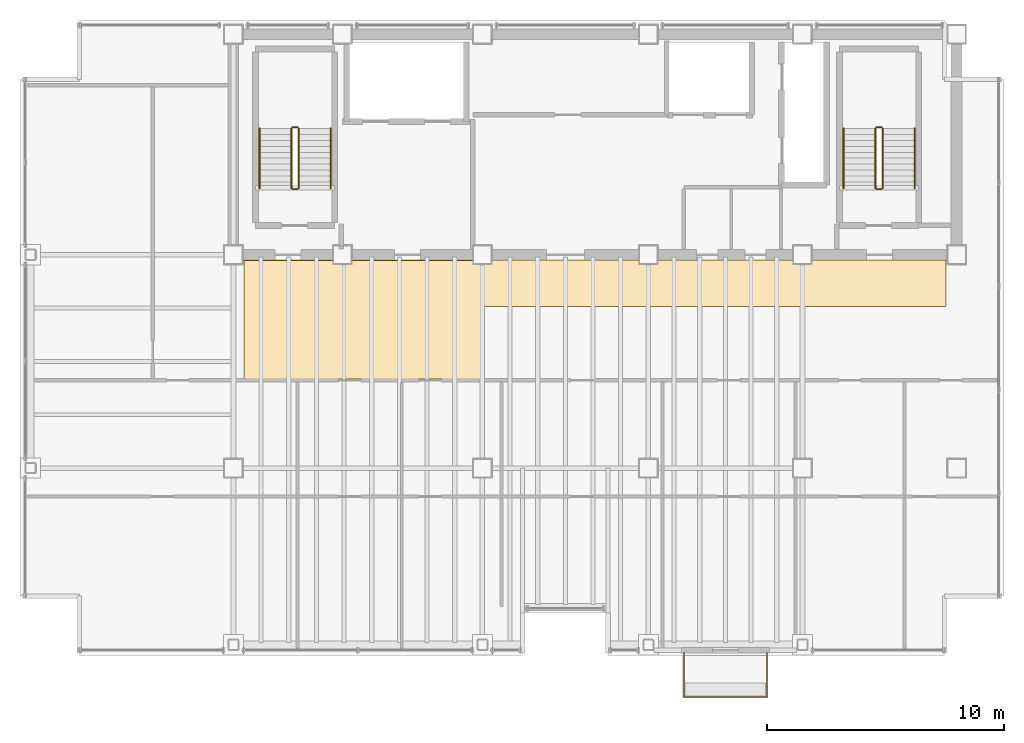
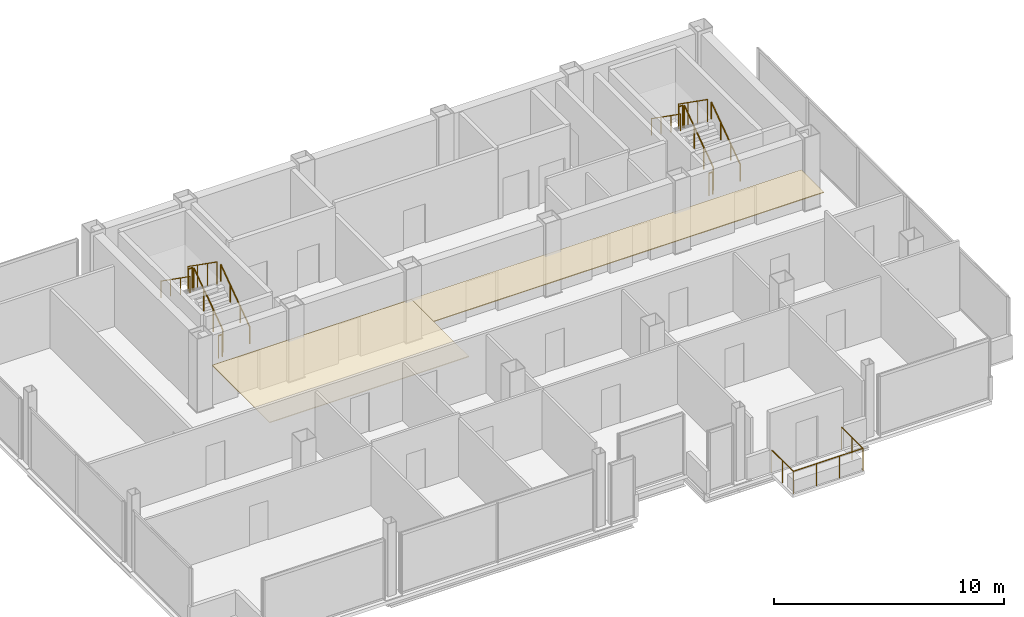
# One storey, part 17 of 17: 13 railings, 2 coverings.
"""IFC4 building model written with IfcOpenShell, lengths in metres."""

from ifc_helpers import new_model, si_unit, direction, frame, origin, origin_2d, place, context, subcontext, project, spatial, polyline, circle, outline, extrude, material, layer, layer_set, type_object, element, save


model = new_model("IFC4")

# Units and contexts
model_context = context("Model", 3, precision=1e-05, world=origin(), true_north=direction((0.0, 1.0)))
body_context = subcontext(model_context, "Body", "Model", "MODEL_VIEW")
ifc_project = project(units=[si_unit("LENGTHUNIT", "METRE"), si_unit("AREAUNIT", "SQUARE_METRE"), si_unit("VOLUMEUNIT", "CUBIC_METRE"), si_unit("PLANEANGLEUNIT", "RADIAN"), si_unit("MASSUNIT", "GRAM", prefix="KILO")], contexts=[model_context])

# Site, building, storey
site_placement = place(None, origin())
site = spatial("IfcSite", under=ifc_project, at=site_placement, CompositionType="ELEMENT")
building_placement = place(site_placement, origin())
building = spatial("IfcBuilding", under=site, at=building_placement, Name="Noeulbin Bourse Tower", CompositionType="ELEMENT")
storey_placement = place(building_placement, frame((0.0, 0.0, 242.300048828125)))
storey = spatial("IfcBuildingStorey", under=building, at=storey_placement, Name="L60", CompositionType="ELEMENT", Elevation=242.300048828125)

# Coverings
ifc_material_1 = material(Name="Perforated Mineral-Fibre Acoustic Tile")
ifc_layer_1 = layer(ifc_material_1, 0.0400390625)
ifc_layer_set_1 = layer_set([ifc_layer_1], Name="Perforated Mineral-Fibre Acoustic Tile")
covering_type_1 = type_object("IfcCoveringType", Name="COV-CEIL-ACT", PredefinedType="CEILING", material=ifc_layer_set_1)
covering_1_placement = place(storey_placement, frame((0.0, 0.0, 2.10986328125)))
element("IfcCovering", 1, at=covering_1_placement, inside=storey, type_object=covering_type_1, Name="Trading Suite Acoustic Ceiling L60", PredefinedType="CEILING", context=body_context, shape_type="SweptSolid", body=[
    extrude(outline(polyline([(13.949951171875, 23.75), (23.949951171875, 23.75), (23.949951171875, 28.75), (13.949951171875, 28.75), (13.949951171875, 23.75)])), origin(), (0.0, 0.0, 1.0), 0.0400390625),
])
ifc_material_2 = material(Name="Linear Anodised Aluminium Baffle Ceiling", Category="aluminium")
ifc_layer_2 = layer(ifc_material_2, 0.050048828125)
ifc_layer_set_2 = layer_set([ifc_layer_2], Name="Linear Anodised Aluminium Baffle Ceiling")
covering_type_2 = type_object("IfcCoveringType", Name="COV-CEIL-MTL", PredefinedType="CEILING", material=ifc_layer_set_2)
covering_2_placement = place(storey_placement, frame((0.0, 0.0, 2.10986328125)))
element("IfcCovering", 2, at=covering_2_placement, inside=storey, type_object=covering_type_2, Name="Corridor Suspended Ceiling L60", PredefinedType="CEILING", context=body_context, shape_type="SweptSolid", body=[
    extrude(outline(polyline([(13.949951171875, 26.820068359375), (43.550048828125, 26.820068359375), (43.550048828125, 28.780029296875), (13.949951171875, 28.780029296875), (13.949951171875, 26.820068359375)])), origin(), (0.0, 0.0, 1.0), 0.0400390625),
])

# Railings
ifc_material_3 = material(Name="Laminated SentryGlas and Stainless Steel 316", Category="steel")
ifc_layer_3 = layer(ifc_material_3, 0.06005859375)
ifc_layer_set_3 = layer_set([ifc_layer_3], Name="Laminated SentryGlas and Stainless Steel 316")
railing_type_1 = type_object("IfcRailingType", Name="RLG-BAL-1200", PredefinedType="BALUSTRADE", material=ifc_layer_set_3)
railing_1_placement = place(storey_placement, frame((32.5, 12.219970703125, 0.0)))
element("IfcRailing", 3, at=railing_1_placement, inside=storey, type_object=railing_type_1, Name="Tree-Balcony Glazed Balustrade L60", PredefinedType="BALUSTRADE", context=body_context, shape_type="SweptSolid", body=[
    extrude(circle(Radius=0.02392578125, at=origin_2d()), frame((0.0, 0.0, 1.17578125), z_axis=(0.0, -1.0, 0.0), x_axis=(1.0, 0.0, 0.0)), (0.0, 0.0, 1.0), 1.869873046875),
    extrude(circle(Radius=0.02392578125, at=origin_2d()), frame((0.0, -1.869873046875, 1.17578125), z_axis=(1.0, 0.0, 0.0), x_axis=(0.0, 1.0, 0.0)), (0.0, 0.0, 1.0), 3.5),
    extrude(circle(Radius=0.02392578125, at=origin_2d()), frame((3.5, -1.869873046875, 1.17578125), z_axis=(0.0, 1.0, 0.0), x_axis=(-1.0, 0.0, 0.0)), (0.0, 0.0, 1.0), 1.869873046875),
    extrude(circle(Radius=0.02099609375, at=origin_2d()), origin(), (0.0, 0.0, 1.0), 1.15185546875),
    extrude(circle(Radius=0.02099609375, at=origin_2d()), frame((0.0, -0.93505859375, 0.0)), (0.0, 0.0, 1.0), 1.15185546875),
    extrude(circle(Radius=0.02099609375, at=origin_2d()), frame((0.0, -1.869873046875, 0.0)), (0.0, 0.0, 1.0), 1.15185546875),
    extrude(circle(Radius=0.02099609375, at=origin_2d()), frame((1.166748046875, -1.869873046875, 0.0)), (0.0, 0.0, 1.0), 1.15185546875),
    extrude(circle(Radius=0.02099609375, at=origin_2d()), frame((2.333251953125, -1.869873046875, 0.0)), (0.0, 0.0, 1.0), 1.15185546875),
    extrude(circle(Radius=0.02099609375, at=origin_2d()), frame((3.5, -1.869873046875, 0.0)), (0.0, 0.0, 1.0), 1.15185546875),
    extrude(circle(Radius=0.02099609375, at=origin_2d()), frame((3.5, -0.93505859375, 0.0)), (0.0, 0.0, 1.0), 1.15185546875),
    extrude(circle(Radius=0.02099609375, at=origin_2d()), frame((3.5, 0.0, 0.0)), (0.0, 0.0, 1.0), 1.15185546875),
])
ifc_material_4 = material(Name="Painted Tubular Steel S355", Category="steel")
ifc_layer_4 = layer(ifc_material_4, 0.048095703125)
ifc_layer_set_4 = layer_set([ifc_layer_4], Name="Painted Tubular Steel S355")
railing_type_2 = type_object("IfcRailingType", Name="RLG-STR-GRD", PredefinedType="GUARDRAIL", material=ifc_layer_set_4)
railing_2_placement = place(storey_placement, frame((16.25, 31.81005859375, 0.17724609375)))
element("IfcRailing", 4, at=railing_2_placement, inside=storey, type_object=railing_type_2, Name="L60 ST-1 stair guard 1", PredefinedType="GUARDRAIL", context=body_context, shape_type="SweptSolid", body=[
    extrude(circle(Radius=0.02392578125, at=origin_2d()), frame((0.0, 0.0, 1.17578125), z_axis=(0.0, 0.817904474719, 0.575354039036), x_axis=(-1.0, 0.0, 0.0)), (0.0, 0.0, 1.0), 3.0810546875),
    extrude(circle(Radius=0.02099609375, at=origin_2d()), origin(), (0.0, 0.0, 1.0), 1.15185546875),
    extrude(circle(Radius=0.02099609375, at=origin_2d()), frame((0.0, 0.840087890625, 0.5908203125)), (0.0, 0.0, 1.0), 1.15185546875),
    extrude(circle(Radius=0.02099609375, at=origin_2d()), frame((0.0, 1.679931640625, 1.181884765625)), (0.0, 0.0, 1.0), 1.15185546875),
    extrude(circle(Radius=0.02099609375, at=origin_2d()), frame((0.0, 2.52001953125, 1.772705078125)), (0.0, 0.0, 1.0), 1.15185546875),
])
railing_3_placement = place(storey_placement, frame((16.199951171875, 34.3798828125, 1.949951171875)))
element("IfcRailing", 5, at=railing_3_placement, inside=storey, type_object=railing_type_2, Name="L60 ST-1 stair guard 2", PredefinedType="GUARDRAIL", context=body_context, shape_type="SweptSolid", body=[
    extrude(circle(Radius=0.02392578125, at=origin_2d()), frame((0.0, 0.0, 1.17578125), z_axis=(-1.0, 0.0, 0.0), x_axis=(0.0, -1.0, 0.0)), (0.0, 0.0, 1.0), 0.199951171875),
    extrude(circle(Radius=0.02099609375, at=origin_2d()), origin(), (0.0, 0.0, 1.0), 1.15185546875),
    extrude(circle(Radius=0.02099609375, at=origin_2d()), frame((-0.199951171875, 0.0, 0.0)), (0.0, 0.0, 1.0), 1.15185546875),
])
railing_4_placement = place(storey_placement, frame((15.949951171875, 34.330078125, 2.127197265625)))
element("IfcRailing", 6, at=railing_4_placement, inside=storey, type_object=railing_type_2, Name="L60 ST-1 stair guard 3", PredefinedType="GUARDRAIL", context=body_context, shape_type="SweptSolid", body=[
    extrude(circle(Radius=0.02392578125, at=origin_2d()), frame((0.0, 0.0, 1.17578125), z_axis=(0.0, -0.817904474719, 0.575354039036), x_axis=(1.0, 0.0, 0.0)), (0.0, 0.0, 1.0), 3.0810546875),
    extrude(circle(Radius=0.02099609375, at=origin_2d()), origin(), (0.0, 0.0, 1.0), 1.15185546875),
    extrude(circle(Radius=0.02099609375, at=origin_2d()), frame((0.0, -0.840087890625, 0.5908203125)), (0.0, 0.0, 1.0), 1.15185546875),
    extrude(circle(Radius=0.02099609375, at=origin_2d()), frame((0.0, -1.679931640625, 1.181884765625)), (0.0, 0.0, 1.0), 1.15185546875),
    extrude(circle(Radius=0.02099609375, at=origin_2d()), frame((0.0, -2.52001953125, 1.772705078125)), (0.0, 0.0, 1.0), 1.15185546875),
])
railing_5_placement = place(storey_placement, frame((16.199951171875, 31.760009765625, 0.0)))
element("IfcRailing", 7, at=railing_5_placement, inside=storey, type_object=railing_type_2, Name="L60 ST-1 stair guard 4", PredefinedType="GUARDRAIL", context=body_context, shape_type="SweptSolid", body=[
    extrude(circle(Radius=0.02392578125, at=origin_2d()), frame((0.0, 0.0, 1.17578125), z_axis=(-1.0, 0.0, 0.0), x_axis=(0.0, -1.0, 0.0)), (0.0, 0.0, 1.0), 0.199951171875),
    extrude(circle(Radius=0.02099609375, at=origin_2d()), origin(), (0.0, 0.0, 1.0), 1.15185546875),
    extrude(circle(Radius=0.02099609375, at=origin_2d()), frame((-0.199951171875, 0.0, 0.0)), (0.0, 0.0, 1.0), 1.15185546875),
])
railing_6_placement = place(storey_placement, frame((40.8798828125, 31.81005859375, 0.17724609375)))
element("IfcRailing", 8, at=railing_6_placement, inside=storey, type_object=railing_type_2, Name="L60 ST-2 stair guard 1", PredefinedType="GUARDRAIL", context=body_context, shape_type="SweptSolid", body=[
    extrude(circle(Radius=0.02392578125, at=origin_2d()), frame((0.0, 0.0, 1.17578125), z_axis=(0.0, 0.817904474719, 0.575354039036), x_axis=(-1.0, 0.0, 0.0)), (0.0, 0.0, 1.0), 3.0810546875),
    extrude(circle(Radius=0.02099609375, at=origin_2d()), origin(), (0.0, 0.0, 1.0), 1.15185546875),
    extrude(circle(Radius=0.02099609375, at=origin_2d()), frame((0.0, 0.840087890625, 0.5908203125)), (0.0, 0.0, 1.0), 1.15185546875),
    extrude(circle(Radius=0.02099609375, at=origin_2d()), frame((0.0, 1.679931640625, 1.181884765625)), (0.0, 0.0, 1.0), 1.15185546875),
    extrude(circle(Radius=0.02099609375, at=origin_2d()), frame((0.0, 2.52001953125, 1.772705078125)), (0.0, 0.0, 1.0), 1.15185546875),
])
railing_7_placement = place(storey_placement, frame((40.830078125, 34.3798828125, 1.949951171875)))
element("IfcRailing", 9, at=railing_7_placement, inside=storey, type_object=railing_type_2, Name="L60 ST-2 stair guard 2", PredefinedType="GUARDRAIL", context=body_context, shape_type="SweptSolid", body=[
    extrude(circle(Radius=0.02392578125, at=origin_2d()), frame((0.0, 0.0, 1.17578125), z_axis=(-1.0, 0.0, 0.0), x_axis=(0.0, -1.0, 0.0)), (0.0, 0.0, 1.0), 0.2001953125),
    extrude(circle(Radius=0.02099609375, at=origin_2d()), origin(), (0.0, 0.0, 1.0), 1.15185546875),
    extrude(circle(Radius=0.02099609375, at=origin_2d()), frame((-0.2001953125, 0.0, 0.0)), (0.0, 0.0, 1.0), 1.15185546875),
])
railing_8_placement = place(storey_placement, frame((40.580078125, 34.330078125, 2.127197265625)))
element("IfcRailing", 10, at=railing_8_placement, inside=storey, type_object=railing_type_2, Name="L60 ST-2 stair guard 3", PredefinedType="GUARDRAIL", context=body_context, shape_type="SweptSolid", body=[
    extrude(circle(Radius=0.02392578125, at=origin_2d()), frame((0.0, 0.0, 1.17578125), z_axis=(0.0, -0.817904474719, 0.575354039036), x_axis=(1.0, 0.0, 0.0)), (0.0, 0.0, 1.0), 3.0810546875),
    extrude(circle(Radius=0.02099609375, at=origin_2d()), origin(), (0.0, 0.0, 1.0), 1.15185546875),
    extrude(circle(Radius=0.02099609375, at=origin_2d()), frame((0.0, -0.840087890625, 0.5908203125)), (0.0, 0.0, 1.0), 1.15185546875),
    extrude(circle(Radius=0.02099609375, at=origin_2d()), frame((0.0, -1.679931640625, 1.181884765625)), (0.0, 0.0, 1.0), 1.15185546875),
    extrude(circle(Radius=0.02099609375, at=origin_2d()), frame((0.0, -2.52001953125, 1.772705078125)), (0.0, 0.0, 1.0), 1.15185546875),
])
railing_9_placement = place(storey_placement, frame((40.830078125, 31.760009765625, 0.0)))
element("IfcRailing", 11, at=railing_9_placement, inside=storey, type_object=railing_type_2, Name="L60 ST-2 stair guard 4", PredefinedType="GUARDRAIL", context=body_context, shape_type="SweptSolid", body=[
    extrude(circle(Radius=0.02392578125, at=origin_2d()), frame((0.0, 0.0, 1.17578125), z_axis=(-1.0, 0.0, 0.0), x_axis=(0.0, -1.0, 0.0)), (0.0, 0.0, 1.0), 0.2001953125),
    extrude(circle(Radius=0.02099609375, at=origin_2d()), origin(), (0.0, 0.0, 1.0), 1.15185546875),
    extrude(circle(Radius=0.02099609375, at=origin_2d()), frame((-0.2001953125, 0.0, 0.0)), (0.0, 0.0, 1.0), 1.15185546875),
])
ifc_material_5 = material(Name="Brushed Stainless Steel 316", Category="steel")
ifc_layer_5 = layer(ifc_material_5, 0.048095703125)
ifc_layer_set_5 = layer_set([ifc_layer_5], Name="Brushed Stainless Steel 316")
railing_type_3 = type_object("IfcRailingType", Name="RLG-STR-HND", PredefinedType="HANDRAIL", material=ifc_layer_set_5)
railing_10_placement = place(storey_placement, frame((17.60009765625, 31.81005859375, 0.17724609375)))
element("IfcRailing", 12, at=railing_10_placement, inside=storey, type_object=railing_type_3, Name="L60 ST-1 stair handrail 1", PredefinedType="HANDRAIL", context=body_context, shape_type="SweptSolid", body=[
    extrude(circle(Radius=0.02392578125, at=origin_2d()), frame((0.0, 0.0, 0.8759765625), z_axis=(0.0, 0.817904474719, 0.575354039036), x_axis=(-1.0, 0.0, 0.0)), (0.0, 0.0, 1.0), 3.0810546875),
    extrude(circle(Radius=0.02099609375, at=origin_2d()), origin(), (0.0, 0.0, 1.0), 0.851806640625),
    extrude(circle(Radius=0.02099609375, at=origin_2d()), frame((0.0, 0.840087890625, 0.5908203125)), (0.0, 0.0, 1.0), 0.851806640625),
    extrude(circle(Radius=0.02099609375, at=origin_2d()), frame((0.0, 1.679931640625, 1.181884765625)), (0.0, 0.0, 1.0), 0.851806640625),
    extrude(circle(Radius=0.02099609375, at=origin_2d()), frame((0.0, 2.52001953125, 1.772705078125)), (0.0, 0.0, 1.0), 0.851806640625),
])
railing_11_placement = place(storey_placement, frame((14.60009765625, 34.330078125, 2.127197265625)))
element("IfcRailing", 13, at=railing_11_placement, inside=storey, type_object=railing_type_3, Name="L60 ST-1 stair handrail 2", PredefinedType="HANDRAIL", context=body_context, shape_type="SweptSolid", body=[
    extrude(circle(Radius=0.02392578125, at=origin_2d()), frame((0.0, 0.0, 0.8759765625), z_axis=(0.0, -0.817904474719, 0.575354039036), x_axis=(1.0, 0.0, 0.0)), (0.0, 0.0, 1.0), 3.0810546875),
    extrude(circle(Radius=0.02099609375, at=origin_2d()), origin(), (0.0, 0.0, 1.0), 0.851806640625),
    extrude(circle(Radius=0.02099609375, at=origin_2d()), frame((0.0, -0.840087890625, 0.5908203125)), (0.0, 0.0, 1.0), 0.851806640625),
    extrude(circle(Radius=0.02099609375, at=origin_2d()), frame((0.0, -1.679931640625, 1.181884765625)), (0.0, 0.0, 1.0), 0.851806640625),
    extrude(circle(Radius=0.02099609375, at=origin_2d()), frame((0.0, -2.52001953125, 1.772705078125)), (0.0, 0.0, 1.0), 0.851806640625),
])
railing_12_placement = place(storey_placement, frame((42.22998046875, 31.81005859375, 0.17724609375)))
element("IfcRailing", 14, at=railing_12_placement, inside=storey, type_object=railing_type_3, Name="L60 ST-2 stair handrail 1", PredefinedType="HANDRAIL", context=body_context, shape_type="SweptSolid", body=[
    extrude(circle(Radius=0.02392578125, at=origin_2d()), frame((0.0, 0.0, 0.8759765625), z_axis=(0.0, 0.817904474719, 0.575354039036), x_axis=(-1.0, 0.0, 0.0)), (0.0, 0.0, 1.0), 3.0810546875),
    extrude(circle(Radius=0.02099609375, at=origin_2d()), origin(), (0.0, 0.0, 1.0), 0.851806640625),
    extrude(circle(Radius=0.02099609375, at=origin_2d()), frame((0.0, 0.840087890625, 0.5908203125)), (0.0, 0.0, 1.0), 0.851806640625),
    extrude(circle(Radius=0.02099609375, at=origin_2d()), frame((0.0, 1.679931640625, 1.181884765625)), (0.0, 0.0, 1.0), 0.851806640625),
    extrude(circle(Radius=0.02099609375, at=origin_2d()), frame((0.0, 2.52001953125, 1.772705078125)), (0.0, 0.0, 1.0), 0.851806640625),
])
railing_13_placement = place(storey_placement, frame((39.22998046875, 34.330078125, 2.127197265625)))
element("IfcRailing", 15, at=railing_13_placement, inside=storey, type_object=railing_type_3, Name="L60 ST-2 stair handrail 2", PredefinedType="HANDRAIL", context=body_context, shape_type="SweptSolid", body=[
    extrude(circle(Radius=0.02392578125, at=origin_2d()), frame((0.0, 0.0, 0.8759765625), z_axis=(0.0, -0.817904474719, 0.575354039036), x_axis=(1.0, 0.0, 0.0)), (0.0, 0.0, 1.0), 3.0810546875),
    extrude(circle(Radius=0.02099609375, at=origin_2d()), origin(), (0.0, 0.0, 1.0), 0.851806640625),
    extrude(circle(Radius=0.02099609375, at=origin_2d()), frame((0.0, -0.840087890625, 0.5908203125)), (0.0, 0.0, 1.0), 0.851806640625),
    extrude(circle(Radius=0.02099609375, at=origin_2d()), frame((0.0, -1.679931640625, 1.181884765625)), (0.0, 0.0, 1.0), 0.851806640625),
    extrude(circle(Radius=0.02099609375, at=origin_2d()), frame((0.0, -2.52001953125, 1.772705078125)), (0.0, 0.0, 1.0), 0.851806640625),
])

save(model, "model.ifc")
